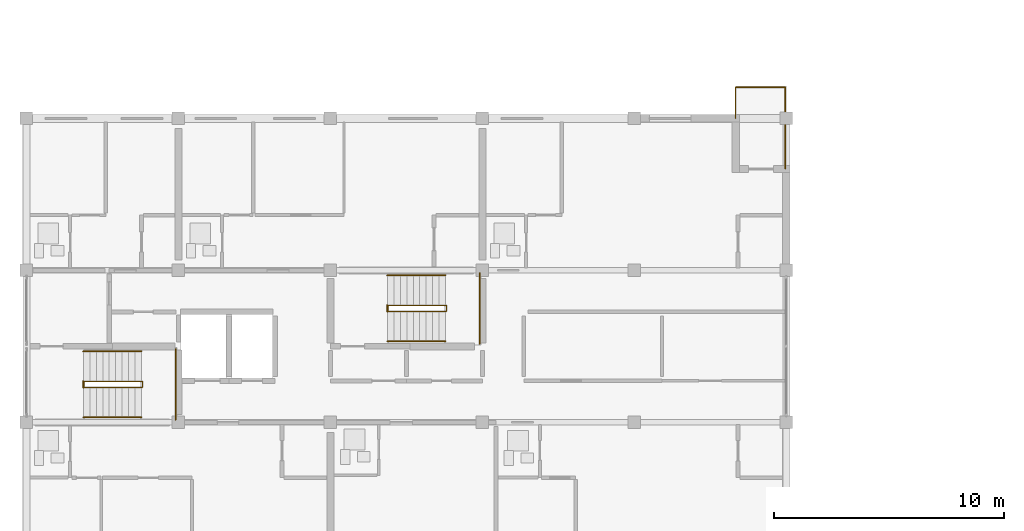
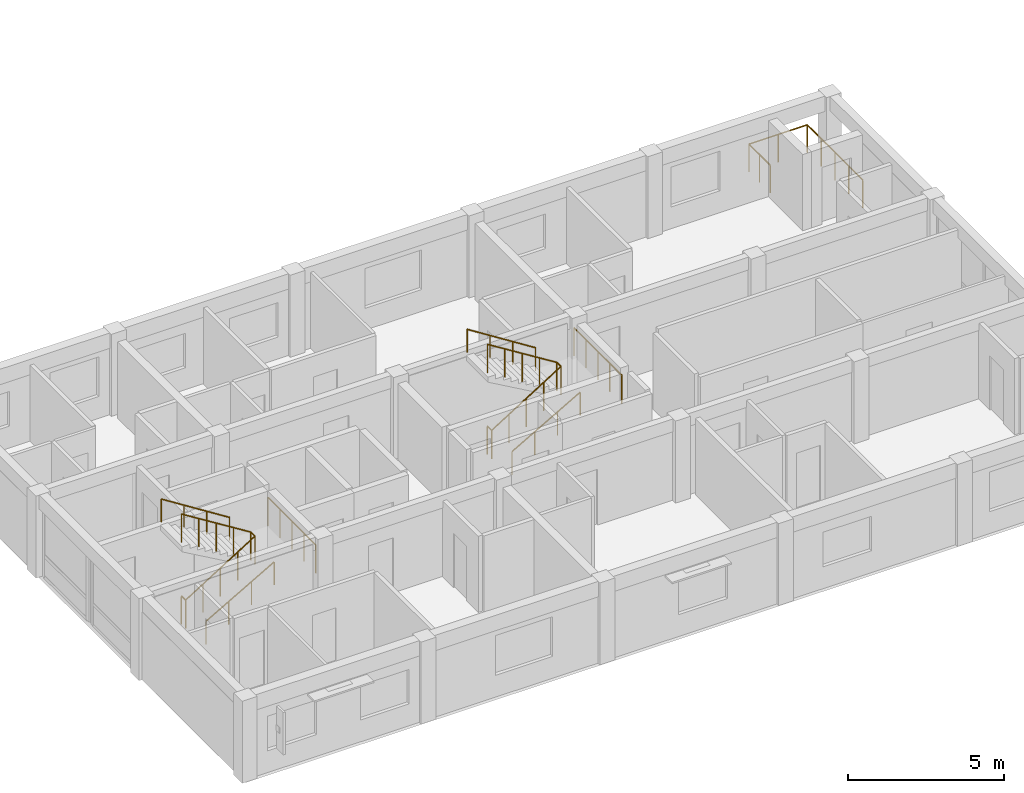
# One storey, part 50 of 53: 11 railings.
"""IFC4 building model written with IfcOpenShell, lengths in metres."""

from ifc_helpers import new_model, si_unit, direction, frame, origin, origin_2d, place, context, subcontext, project, spatial, circle, extrude, material, type_object, element, save


model = new_model("IFC4")

# Units and contexts
model_context = context("Model", 3, precision=1e-05, world=origin(), true_north=direction((0.0, 1.0)))
body_context = subcontext(model_context, "Body", "Model", "MODEL_VIEW")
ifc_project = project(units=[si_unit("LENGTHUNIT", "METRE"), si_unit("AREAUNIT", "SQUARE_METRE"), si_unit("VOLUMEUNIT", "CUBIC_METRE"), si_unit("PLANEANGLEUNIT", "RADIAN"), si_unit("MASSUNIT", "GRAM", prefix="KILO")], contexts=[model_context])

# Site, building, storey
site_placement = place(None, origin())
site = spatial("IfcSite", under=ifc_project, at=site_placement, CompositionType="ELEMENT")
building_placement = place(site_placement, origin())
building = spatial("IfcBuilding", under=site, at=building_placement, Name="Kernevlak Ridge Housing Community", CompositionType="ELEMENT")
storey_placement = place(building_placement, frame((0.0, 0.0, 24.39990234375)))
storey = spatial("IfcBuildingStorey", under=building, at=storey_placement, Name="L07", CompositionType="ELEMENT", Elevation=24.39990234375)

# Railings
ifc_material_1 = material(Name="Steel S355", Category="steel")
railing_type_1 = type_object("IfcRailingType", Name="BL-01", PredefinedType="BALUSTRADE", material=ifc_material_1)
railing_1_placement = place(storey_placement, frame((46.39990234375, 95.800048828125, 0.0)))
element("IfcRailing", 1, at=railing_1_placement, inside=storey, type_object=railing_type_1, Name="Block A L07 balcony balustrade BL-01 7", PredefinedType="BALUSTRADE", context=body_context, shape_type="SweptSolid", body=[
    extrude(circle(Radius=0.02392578125, at=origin_2d()), frame((0.0, 0.0, 1.076171875), z_axis=(0.0, 1.0, 0.0), x_axis=(-1.0, 0.0, 0.0)), (0.0, 0.0, 1.0), 1.349853515625),
    extrude(circle(Radius=0.02392578125, at=origin_2d()), frame((0.0, 1.349853515625, 1.076171875), z_axis=(1.0, 0.0, 0.0), x_axis=(0.0, 1.0, 0.0)), (0.0, 0.0, 1.0), 2.150146484375),
    extrude(circle(Radius=0.02392578125, at=origin_2d()), frame((2.150146484375, 1.349853515625, 1.076171875), z_axis=(0.0, -1.0, 0.0), x_axis=(1.0, 0.0, 0.0)), (0.0, 0.0, 1.0), 3.5498046875),
    extrude(circle(Radius=0.02099609375, at=origin_2d()), origin(), (0.0, 0.0, 1.0), 1.052001953125),
    extrude(circle(Radius=0.02099609375, at=origin_2d()), frame((0.0, 0.6748046875, 0.0)), (0.0, 0.0, 1.0), 1.052001953125),
    extrude(circle(Radius=0.02099609375, at=origin_2d()), frame((0.0, 1.349853515625, 0.0)), (0.0, 0.0, 1.0), 1.052001953125),
    extrude(circle(Radius=0.02099609375, at=origin_2d()), frame((1.0751953125, 1.349853515625, 0.0)), (0.0, 0.0, 1.0), 1.052001953125),
    extrude(circle(Radius=0.02099609375, at=origin_2d()), frame((2.150146484375, 1.349853515625, 0.0)), (0.0, 0.0, 1.0), 1.052001953125),
    extrude(circle(Radius=0.02099609375, at=origin_2d()), frame((2.150146484375, 0.46240234375, 0.0)), (0.0, 0.0, 1.0), 1.052001953125),
    extrude(circle(Radius=0.02099609375, at=origin_2d()), frame((2.150146484375, -0.425048828125, 0.0)), (0.0, 0.0, 1.0), 1.052001953125),
    extrude(circle(Radius=0.02099609375, at=origin_2d()), frame((2.150146484375, -1.3125, 0.0)), (0.0, 0.0, 1.0), 1.052001953125),
    extrude(circle(Radius=0.02099609375, at=origin_2d()), frame((2.150146484375, -2.199951171875, 0.0)), (0.0, 0.0, 1.0), 1.052001953125),
])
railing_type_2 = type_object("IfcRailingType", Name="GR-02", PredefinedType="GUARDRAIL", material=ifc_material_1)
railing_2_placement = place(storey_placement, frame((18.080078125, 84.110107421875, 0.0)))
element("IfcRailing", 2, at=railing_2_placement, inside=storey, type_object=railing_type_2, Name="Stair ST-A1 L07 well slot guard", PredefinedType="GUARDRAIL", context=body_context, shape_type="SweptSolid", body=[
    extrude(circle(Radius=0.02392578125, at=origin_2d()), frame((0.0, 0.0, 1.09619140625), z_axis=(0.0, 1.0, 0.0), x_axis=(-1.0, 0.0, 0.0)), (0.0, 0.0, 1.0), 0.27978515625),
    extrude(circle(Radius=0.02099609375, at=origin_2d()), origin(), (0.0, 0.0, 1.0), 1.072021484375),
    extrude(circle(Radius=0.02099609375, at=origin_2d()), frame((0.0, 0.27978515625, 0.0)), (0.0, 0.0, 1.0), 1.072021484375),
])
railing_3_placement = place(storey_placement, frame((18.080078125, 84.1201171875, 0.0)))
element("IfcRailing", 3, at=railing_3_placement, inside=storey, type_object=railing_type_2, Name="Stair ST-A1 L07 inner well guardrail", PredefinedType="GUARDRAIL", context=body_context, shape_type="SweptSolid", body=[
    extrude(circle(Radius=0.02392578125, at=origin_2d()), frame((0.0, 0.0, 1.09619140625), z_axis=(0.847966497998, 0.0, 0.530049826217), x_axis=(0.0, 1.0, 0.0)), (0.0, 0.0, 1.0), 3.018798828125),
    extrude(circle(Radius=0.02392578125, at=origin_2d()), frame((2.559814453125, 0.0, 2.6962890625), z_axis=(0.0, 1.0, 0.0), x_axis=(-1.0, 0.0, 0.0)), (0.0, 0.0, 1.0), 0.259765625),
    extrude(circle(Radius=0.02392578125, at=origin_2d()), frame((2.559814453125, 0.259765625, 2.6962890625), z_axis=(-0.847966497998, 0.0, 0.530049826217), x_axis=(0.0, -1.0, 0.0)), (0.0, 0.0, 1.0), 3.018798828125),
    extrude(circle(Radius=0.02099609375, at=origin_2d()), origin(), (0.0, 0.0, 1.0), 1.072021484375),
    extrude(circle(Radius=0.02099609375, at=origin_2d()), frame((0.639892578125, 0.0, 0.39990234375)), (0.0, 0.0, 1.0), 1.072021484375),
    extrude(circle(Radius=0.02099609375, at=origin_2d()), frame((1.27978515625, 0.0, 0.800048828125)), (0.0, 0.0, 1.0), 1.072021484375),
    extrude(circle(Radius=0.02099609375, at=origin_2d()), frame((1.919921875, 0.0, 1.2001953125)), (0.0, 0.0, 1.0), 1.072021484375),
    extrude(circle(Radius=0.02099609375, at=origin_2d()), frame((2.559814453125, 0.0, 1.60009765625)), (0.0, 0.0, 1.0), 1.072021484375),
    extrude(circle(Radius=0.02099609375, at=origin_2d()), frame((2.559814453125, 0.259765625, 1.60009765625)), (0.0, 0.0, 1.0), 1.072021484375),
    extrude(circle(Radius=0.02099609375, at=origin_2d()), frame((1.919921875, 0.259765625, 2.0)), (0.0, 0.0, 1.0), 1.072021484375),
    extrude(circle(Radius=0.02099609375, at=origin_2d()), frame((1.27978515625, 0.259765625, 2.400146484375)), (0.0, 0.0, 1.0), 1.072021484375),
    extrude(circle(Radius=0.02099609375, at=origin_2d()), frame((0.639892578125, 0.259765625, 2.80029296875)), (0.0, 0.0, 1.0), 1.072021484375),
    extrude(circle(Radius=0.02099609375, at=origin_2d()), frame((0.0, 0.259765625, 3.2001953125)), (0.0, 0.0, 1.0), 1.072021484375),
])
railing_4_placement = place(storey_placement, frame((22.080078125, 82.719970703125, 1.60009765625)))
element("IfcRailing", 4, at=railing_4_placement, inside=storey, type_object=railing_type_2, Name="Stair ST-A1 L07 half-landing guard", PredefinedType="GUARDRAIL", context=body_context, shape_type="SweptSolid", body=[
    extrude(circle(Radius=0.02392578125, at=origin_2d()), frame((0.0, 0.0, 1.09619140625), z_axis=(0.0, 1.0, 0.0), x_axis=(-1.0, 0.0, 0.0)), (0.0, 0.0, 1.0), 3.06005859375),
    extrude(circle(Radius=0.02099609375, at=origin_2d()), origin(), (0.0, 0.0, 1.0), 1.072021484375),
    extrude(circle(Radius=0.02099609375, at=origin_2d()), frame((0.0, 0.76513671875, 0.0)), (0.0, 0.0, 1.0), 1.072021484375),
    extrude(circle(Radius=0.02099609375, at=origin_2d()), frame((0.0, 1.530029296875, 0.0)), (0.0, 0.0, 1.0), 1.072021484375),
    extrude(circle(Radius=0.02099609375, at=origin_2d()), frame((0.0, 2.294921875, 0.0)), (0.0, 0.0, 1.0), 1.072021484375),
    extrude(circle(Radius=0.02099609375, at=origin_2d()), frame((0.0, 3.06005859375, 0.0)), (0.0, 0.0, 1.0), 1.072021484375),
])
railing_5_placement = place(storey_placement, frame((31.280029296875, 87.409912109375, 0.0)))
element("IfcRailing", 5, at=railing_5_placement, inside=storey, type_object=railing_type_2, Name="Stair ST-A2 L07 well slot guard", PredefinedType="GUARDRAIL", context=body_context, shape_type="SweptSolid", body=[
    extrude(circle(Radius=0.02392578125, at=origin_2d()), frame((0.0, 0.0, 1.09619140625), z_axis=(0.0, 1.0, 0.0), x_axis=(-1.0, 0.0, 0.0)), (0.0, 0.0, 1.0), 0.280029296875),
    extrude(circle(Radius=0.02099609375, at=origin_2d()), origin(), (0.0, 0.0, 1.0), 1.072021484375),
    extrude(circle(Radius=0.02099609375, at=origin_2d()), frame((0.0, 0.280029296875, 0.0)), (0.0, 0.0, 1.0), 1.072021484375),
])
railing_6_placement = place(storey_placement, frame((31.280029296875, 87.419921875, 0.0)))
element("IfcRailing", 6, at=railing_6_placement, inside=storey, type_object=railing_type_2, Name="Stair ST-A2 L07 inner well guardrail", PredefinedType="GUARDRAIL", context=body_context, shape_type="SweptSolid", body=[
    extrude(circle(Radius=0.02392578125, at=origin_2d()), frame((0.0, 0.0, 1.09619140625), z_axis=(0.847989217509, 0.0, 0.530013478119), x_axis=(0.0, 1.0, 0.0)), (0.0, 0.0, 1.0), 3.01904296875),
    extrude(circle(Radius=0.02392578125, at=origin_2d()), frame((2.56005859375, 0.0, 2.6962890625), z_axis=(0.0, 1.0, 0.0), x_axis=(-1.0, 0.0, 0.0)), (0.0, 0.0, 1.0), 0.260009765625),
    extrude(circle(Radius=0.02392578125, at=origin_2d()), frame((2.56005859375, 0.260009765625, 2.6962890625), z_axis=(-0.847989217509, 0.0, 0.530013478119), x_axis=(0.0, -1.0, 0.0)), (0.0, 0.0, 1.0), 3.01904296875),
    extrude(circle(Radius=0.02099609375, at=origin_2d()), origin(), (0.0, 0.0, 1.0), 1.072021484375),
    extrude(circle(Radius=0.02099609375, at=origin_2d()), frame((0.64013671875, 0.0, 0.39990234375)), (0.0, 0.0, 1.0), 1.072021484375),
    extrude(circle(Radius=0.02099609375, at=origin_2d()), frame((1.280029296875, 0.0, 0.800048828125)), (0.0, 0.0, 1.0), 1.072021484375),
    extrude(circle(Radius=0.02099609375, at=origin_2d()), frame((1.919921875, 0.0, 1.2001953125)), (0.0, 0.0, 1.0), 1.072021484375),
    extrude(circle(Radius=0.02099609375, at=origin_2d()), frame((2.56005859375, 0.0, 1.60009765625)), (0.0, 0.0, 1.0), 1.072021484375),
    extrude(circle(Radius=0.02099609375, at=origin_2d()), frame((2.56005859375, 0.260009765625, 1.60009765625)), (0.0, 0.0, 1.0), 1.072021484375),
    extrude(circle(Radius=0.02099609375, at=origin_2d()), frame((1.919921875, 0.260009765625, 2.0)), (0.0, 0.0, 1.0), 1.072021484375),
    extrude(circle(Radius=0.02099609375, at=origin_2d()), frame((1.280029296875, 0.260009765625, 2.400146484375)), (0.0, 0.0, 1.0), 1.072021484375),
    extrude(circle(Radius=0.02099609375, at=origin_2d()), frame((0.64013671875, 0.260009765625, 2.80029296875)), (0.0, 0.0, 1.0), 1.072021484375),
    extrude(circle(Radius=0.02099609375, at=origin_2d()), frame((0.0, 0.260009765625, 3.2001953125)), (0.0, 0.0, 1.0), 1.072021484375),
])
railing_7_placement = place(storey_placement, frame((35.280029296875, 86.02001953125, 1.60009765625)))
element("IfcRailing", 7, at=railing_7_placement, inside=storey, type_object=railing_type_2, Name="Stair ST-A2 L07 half-landing guard", PredefinedType="GUARDRAIL", context=body_context, shape_type="SweptSolid", body=[
    extrude(circle(Radius=0.02392578125, at=origin_2d()), frame((0.0, 0.0, 1.09619140625), z_axis=(0.0, 1.0, 0.0), x_axis=(-1.0, 0.0, 0.0)), (0.0, 0.0, 1.0), 3.06005859375),
    extrude(circle(Radius=0.02099609375, at=origin_2d()), origin(), (0.0, 0.0, 1.0), 1.072021484375),
    extrude(circle(Radius=0.02099609375, at=origin_2d()), frame((0.0, 0.76513671875, 0.0)), (0.0, 0.0, 1.0), 1.072021484375),
    extrude(circle(Radius=0.02099609375, at=origin_2d()), frame((0.0, 1.530029296875, 0.0)), (0.0, 0.0, 1.0), 1.072021484375),
    extrude(circle(Radius=0.02099609375, at=origin_2d()), frame((0.0, 2.294921875, 0.0)), (0.0, 0.0, 1.0), 1.072021484375),
    extrude(circle(Radius=0.02099609375, at=origin_2d()), frame((0.0, 3.06005859375, 0.0)), (0.0, 0.0, 1.0), 1.072021484375),
])
ifc_material_2 = material(Name="Stainless steel EN 1.4401", Category="steel")
railing_type_3 = type_object("IfcRailingType", Name="HR-01", PredefinedType="HANDRAIL", material=ifc_material_2)
railing_8_placement = place(storey_placement, frame((18.080078125, 82.820068359375, 0.16015625)))
element("IfcRailing", 8, at=railing_8_placement, inside=storey, type_object=railing_type_3, Name="Stair ST-A1 L07 flight 1 handrail", PredefinedType="HANDRAIL", context=body_context, shape_type="SweptSolid", body=[
    extrude(circle(Radius=0.02392578125, at=origin_2d()), frame((0.0, 0.0, 0.89599609375), z_axis=(0.868253494771, 0.0, 0.496120820787), x_axis=(0.0, 1.0, 0.0)), (0.0, 0.0, 1.0), 2.90234375),
    extrude(circle(Radius=0.02099609375, at=origin_2d()), origin(), (0.0, 0.0, 1.0), 0.871826171875),
    extrude(circle(Radius=0.02099609375, at=origin_2d()), frame((0.840087890625, 0.0, 0.47998046875)), (0.0, 0.0, 1.0), 0.871826171875),
    extrude(circle(Radius=0.02099609375, at=origin_2d()), frame((1.679931640625, 0.0, 0.9599609375)), (0.0, 0.0, 1.0), 0.871826171875),
    extrude(circle(Radius=0.02099609375, at=origin_2d()), frame((2.52001953125, 0.0, 1.43994140625)), (0.0, 0.0, 1.0), 0.871826171875),
])
railing_9_placement = place(storey_placement, frame((20.60009765625, 85.679931640625, 1.60009765625)))
element("IfcRailing", 9, at=railing_9_placement, inside=storey, type_object=railing_type_3, Name="Stair ST-A1 L07 flight 2 handrail", PredefinedType="HANDRAIL", context=body_context, shape_type="SweptSolid", body=[
    extrude(circle(Radius=0.02392578125, at=origin_2d()), frame((0.0, 0.0, 0.89599609375), z_axis=(-0.844199891302, 0.0, 0.536028491338), x_axis=(0.0, -1.0, 0.0)), (0.0, 0.0, 1.0), 2.985107421875),
    extrude(circle(Radius=0.02099609375, at=origin_2d()), origin(), (0.0, 0.0, 1.0), 0.871826171875),
    extrude(circle(Radius=0.02099609375, at=origin_2d()), frame((-0.840087890625, 0.0, 0.533447265625)), (0.0, 0.0, 1.0), 0.871826171875),
    extrude(circle(Radius=0.02099609375, at=origin_2d()), frame((-1.679931640625, 0.0, 1.066650390625)), (0.0, 0.0, 1.0), 0.871826171875),
    extrude(circle(Radius=0.02099609375, at=origin_2d()), frame((-2.52001953125, 0.0, 1.60009765625)), (0.0, 0.0, 1.0), 0.871826171875),
])
railing_10_placement = place(storey_placement, frame((31.280029296875, 86.1201171875, 0.16015625)))
element("IfcRailing", 10, at=railing_10_placement, inside=storey, type_object=railing_type_3, Name="Stair ST-A2 L07 flight 1 handrail", PredefinedType="HANDRAIL", context=body_context, shape_type="SweptSolid", body=[
    extrude(circle(Radius=0.02392578125, at=origin_2d()), frame((0.0, 0.0, 0.89599609375), z_axis=(0.868253494771, 0.0, 0.496120820787), x_axis=(0.0, 1.0, 0.0)), (0.0, 0.0, 1.0), 2.90234375),
    extrude(circle(Radius=0.02099609375, at=origin_2d()), origin(), (0.0, 0.0, 1.0), 0.871826171875),
    extrude(circle(Radius=0.02099609375, at=origin_2d()), frame((0.840087890625, 0.0, 0.47998046875)), (0.0, 0.0, 1.0), 0.871826171875),
    extrude(circle(Radius=0.02099609375, at=origin_2d()), frame((1.679931640625, 0.0, 0.9599609375)), (0.0, 0.0, 1.0), 0.871826171875),
    extrude(circle(Radius=0.02099609375, at=origin_2d()), frame((2.52001953125, 0.0, 1.43994140625)), (0.0, 0.0, 1.0), 0.871826171875),
])
railing_11_placement = place(storey_placement, frame((33.800048828125, 88.97998046875, 1.60009765625)))
element("IfcRailing", 11, at=railing_11_placement, inside=storey, type_object=railing_type_3, Name="Stair ST-A2 L07 flight 2 handrail", PredefinedType="HANDRAIL", context=body_context, shape_type="SweptSolid", body=[
    extrude(circle(Radius=0.02392578125, at=origin_2d()), frame((0.0, 0.0, 0.89599609375), z_axis=(-0.844199891302, 0.0, 0.536028491338), x_axis=(0.0, -1.0, 0.0)), (0.0, 0.0, 1.0), 2.985107421875),
    extrude(circle(Radius=0.02099609375, at=origin_2d()), origin(), (0.0, 0.0, 1.0), 0.871826171875),
    extrude(circle(Radius=0.02099609375, at=origin_2d()), frame((-0.840087890625, 0.0, 0.533447265625)), (0.0, 0.0, 1.0), 0.871826171875),
    extrude(circle(Radius=0.02099609375, at=origin_2d()), frame((-1.679931640625, 0.0, 1.066650390625)), (0.0, 0.0, 1.0), 0.871826171875),
    extrude(circle(Radius=0.02099609375, at=origin_2d()), frame((-2.52001953125, 0.0, 1.60009765625)), (0.0, 0.0, 1.0), 0.871826171875),
])

save(model, "model.ifc")
